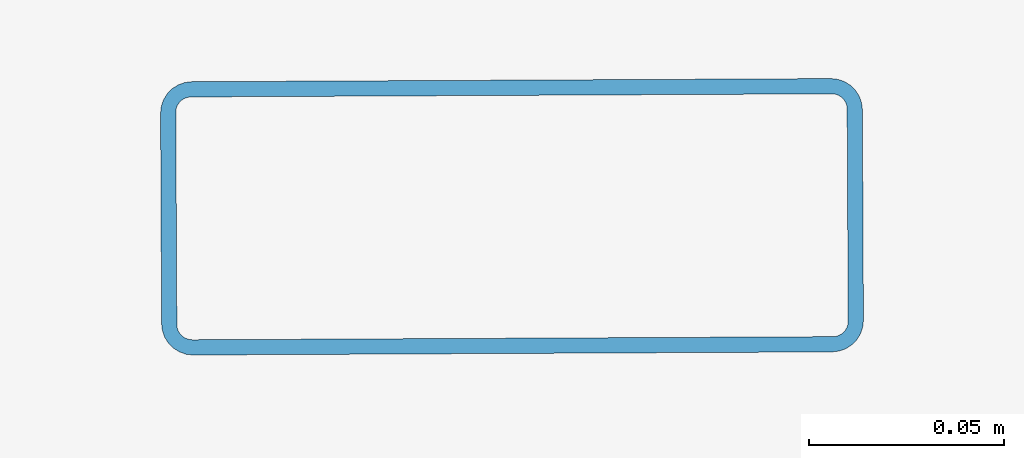
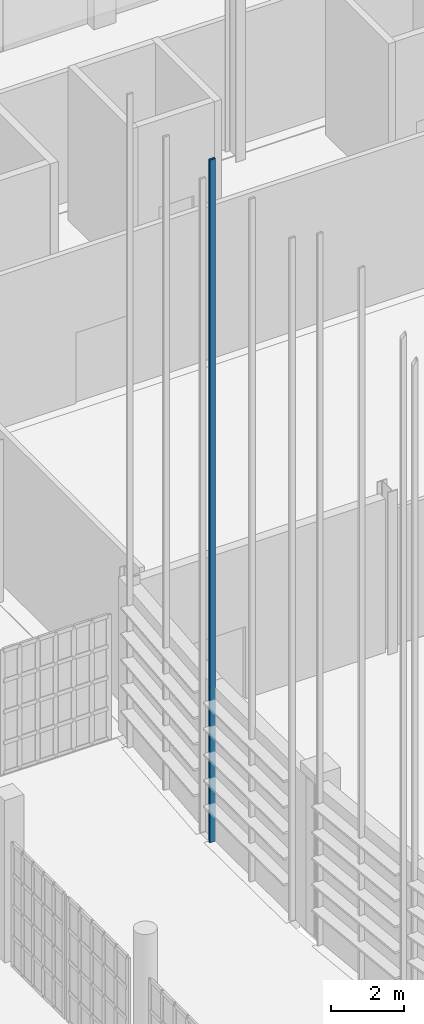
# One storey, part 93 of 372: 1 member.
"""IFC4 building model written with IfcOpenShell, lengths in metres."""

import ifcopenshell
import ifcopenshell.guid

model = None  # the IFC model being written
_history = None  # IfcOwnerHistory: only IFC2X3 demands one
_inside = {}  # id of a spatial element -> (the spatial element, [elements in it])
_under = {}  # id of a project, library or spatial element -> (it, [spatial elements below it])
_declared = {}  # id of a project -> (the project, [libraries it declares])
_typed = {}  # id of a type object -> (the type object, [elements of that type])
_made_of = {}  # id of a material, layer set ... -> (it, [elements and type objects made of it])


def new_model(schema):
    """Start an empty IFC model of exactly this schema.

    Asked for "IFC4X3", IfcOpenShell would pick the latest addendum, in which some entities
    have other attributes; the version numbers below select the first issue.
    IFC2X3 requires an IfcOwnerHistory on every rooted entity: one is made here for all.
    """
    global model, _history
    if schema == "IFC4X3":
        model = ifcopenshell.file(schema_version=(4, 3, 0, 0))
    else:
        model = ifcopenshell.file(schema=schema)
    _inside.clear()
    _under.clear()
    _declared.clear()
    _typed.clear()
    _made_of.clear()
    _history = None
    if model.schema == "IFC2X3":
        org = make("IfcOrganization", Name="unknown")
        user = make(
            "IfcPersonAndOrganization",
            ThePerson=make("IfcPerson", FamilyName="unknown"),
            TheOrganization=org,
        )
        app = make(
            "IfcApplication",
            ApplicationDeveloper=org,
            Version="unknown",
            ApplicationFullName="unknown",
            ApplicationIdentifier="unknown",
        )
        _history = make(
            "IfcOwnerHistory",
            OwningUser=user,
            OwningApplication=app,
            ChangeAction="ADDED",
            CreationDate=0,
        )
    return model


def make(cls, **values):
    """One entity of the class cls with the attributes given. An attribute that is None is left unset."""
    return model.create_entity(
        cls, **{name: value for name, value in values.items() if value is not None}
    )


def rooted(cls, **values):
    """An entity with a GlobalId (a new one), such as an element, a storey or a relation."""
    return make(cls, GlobalId=ifcopenshell.guid.new(), OwnerHistory=_history, **values)


def si_unit(unit_type, name, prefix=None):
    """IfcSIUnit, for example si_unit("LENGTHUNIT", "METRE", prefix="MILLI")."""
    return make("IfcSIUnit", UnitType=unit_type, Prefix=prefix, Name=name)


def assignment(units):
    """IfcUnitAssignment: the units of a project."""
    return None if units is None else make("IfcUnitAssignment", Units=units)


def point(xyz):
    """IfcCartesianPoint."""
    return None if xyz is None else make("IfcCartesianPoint", Coordinates=xyz)


def direction(xyz):
    """IfcDirection."""
    return None if xyz is None else make("IfcDirection", DirectionRatios=xyz)


def frame(location, z_axis=None, x_axis=None):
    """IfcAxis2Placement3D, a coordinate frame: its origin and axes. An axis left out is left unset."""
    return make(
        "IfcAxis2Placement3D",
        Location=point(location),
        Axis=direction(z_axis),
        RefDirection=direction(x_axis),
    )


def frame_2d(location, x_axis=None):
    """IfcAxis2Placement2D, a coordinate frame in the plane: its origin and x axis."""
    return make(
        "IfcAxis2Placement2D", Location=point(location), RefDirection=direction(x_axis)
    )


def origin():
    """The frame at (0, 0, 0) with its axes left unset."""
    return frame((0.0, 0.0, 0.0))


def origin_2d():
    """The frame at (0, 0) in the plane with its x axis left unset."""
    return frame_2d((0.0, 0.0))


def place(relative_to, where):
    """IfcLocalPlacement: puts the frame where relative to a parent placement (None: the world)."""
    return make(
        "IfcLocalPlacement", PlacementRelTo=relative_to, RelativePlacement=where
    )


def context(
    kind, dimensions, precision=None, world=None, true_north=None, identifier=None
):
    """IfcGeometricRepresentationContext, for example the 3D "Model" context."""
    return make(
        "IfcGeometricRepresentationContext",
        ContextIdentifier=identifier,
        ContextType=kind,
        CoordinateSpaceDimension=dimensions,
        Precision=precision,
        WorldCoordinateSystem=world,
        TrueNorth=true_north,
    )


def subcontext(parent, identifier, kind, view, scale=None):
    """IfcGeometricRepresentationSubContext, for example "Body" below "Model"."""
    return make(
        "IfcGeometricRepresentationSubContext",
        ContextIdentifier=identifier,
        ContextType=kind,
        ParentContext=parent,
        TargetScale=scale,
        TargetView=view,
    )


def project(units=None, contexts=None):
    """IfcProject with its units and contexts."""
    return rooted(
        "IfcProject",
        Name="project",
        RepresentationContexts=contexts,
        UnitsInContext=assignment(units),
    )


def spatial(cls, under=None, at=None, **own):
    """A site, building, storey or space (cls), placed at a placement, below another one or the project."""
    s = rooted(cls, ObjectPlacement=at, **own)
    if under is not None:
        _under.setdefault(under.id(), (under, []))[1].append(s)
    return s


def profile(cls, at=None, kind="AREA", **sizes):
    """A parametric profile (cls). Its sizes go by their IFC names, for example OverallWidth=200.0."""
    return make(cls, ProfileType=kind, Position=at, **sizes)


def hollow_rectangle(**sizes):
    """IfcRectangleHollowProfileDef."""
    return profile("IfcRectangleHollowProfileDef", **sizes)


def extrude(swept, where, along, depth):
    """IfcExtrudedAreaSolid: the profile swept, set in the frame where, extruded along a direction by depth."""
    return make(
        "IfcExtrudedAreaSolid",
        SweptArea=swept,
        Position=where,
        ExtrudedDirection=direction(along),
        Depth=depth,
    )


def shape(context_of_items, identifier, shape_type, items):
    """IfcShapeRepresentation: the items that make up one representation, for example the "Body"."""
    return make(
        "IfcShapeRepresentation",
        ContextOfItems=context_of_items,
        RepresentationIdentifier=identifier,
        RepresentationType=shape_type,
        Items=items,
    )


def material(Name=None, Category=None):
    """IfcMaterial."""
    return make("IfcMaterial", Name=Name, Category=Category)


def material_profile(
    of_material, cross_section, Name=None, Category=None, Priority=None
):
    """IfcMaterialProfile: a cross section and its material."""
    return make(
        "IfcMaterialProfile",
        Name=Name,
        Material=of_material,
        Profile=cross_section,
        Priority=Priority,
        Category=Category,
    )


def profile_set(profiles, Name=None, composite=None):
    """IfcMaterialProfileSet."""
    return make(
        "IfcMaterialProfileSet",
        Name=Name,
        MaterialProfiles=profiles,
        CompositeProfile=composite,
    )


def made_of(thing, what):
    """Note that an element or type object is made of a material, layer set ...; save() writes the relation."""
    if what is not None:
        _made_of.setdefault(what.id(), (what, []))[1].append(thing)
    return thing


def type_object(cls, material=None, **own):
    """A type object (cls), such as IfcWallType, which elements share."""
    return made_of(rooted(cls, **own), material)


def element(
    cls,
    number,
    at=None,
    inside=None,
    cuts=None,
    type_object=None,
    material=None,
    context=None,
    identifier="Body",
    shape_type=None,
    held_by="IfcProductDefinitionShape",
    body=None,
    shapes=None,
    **own,
):
    """One element of the class cls, such as IfcWall. Its Tag is "e" and its number.

    at: its placement. inside: the storey or other place that contains it. cuts: it is an
    opening in that element (IfcRelVoidsElement). A single representation is given by context,
    identifier, shape_type and body (its items); several are given by shapes. held_by: the class
    of the entity that holds the representations. save() writes the other relations.
    """
    e = rooted(cls, Tag="e%d" % number, ObjectPlacement=at, **own)
    if body is not None:
        shapes = [shape(context, identifier, shape_type, body)]
    if shapes is not None:
        e.Representation = make(held_by, Representations=shapes)
    if inside is not None:
        _inside.setdefault(inside.id(), (inside, []))[1].append(e)
    if cuts is not None:
        rooted(
            "IfcRelVoidsElement", RelatingBuildingElement=cuts, RelatedOpeningElement=e
        )
    if type_object is not None:
        _typed.setdefault(type_object.id(), (type_object, []))[1].append(e)
    return made_of(e, material)


def aggregate(whole, parts):
    """IfcRelAggregates: a whole, such as a stair, and the parts it consists of."""
    return rooted("IfcRelAggregates", RelatingObject=whole, RelatedObjects=parts)


def save(model, path):
    """Write the relations noted so far, then the file.

    IfcRelAggregates (storeys below a building ...), IfcRelContainedInSpatialStructure (elements
    in a storey), IfcRelDefinesByType, IfcRelAssociatesMaterial and IfcRelDeclares: one each for
    every whole, place, type object, material and project.
    """
    for whole, parts in _under.values():
        aggregate(whole, parts)
    for where, things in _inside.values():
        rooted(
            "IfcRelContainedInSpatialStructure",
            RelatedElements=things,
            RelatingStructure=where,
        )
    for kind, things in _typed.values():
        rooted("IfcRelDefinesByType", RelatedObjects=things, RelatingType=kind)
    for what, things in _made_of.values():
        rooted("IfcRelAssociatesMaterial", RelatedObjects=things, RelatingMaterial=what)
    for by, libraries in _declared.values():
        rooted("IfcRelDeclares", RelatingContext=by, RelatedDefinitions=libraries)
    model.write(path)


model = new_model("IFC4")

# Units and contexts
model_context = context("Model", 3, precision=1e-05, world=origin(), true_north=direction((0.0, 1.0)))
body_context = subcontext(model_context, "Body", "Model", "MODEL_VIEW")
ifc_project = project(units=[si_unit("LENGTHUNIT", "METRE"), si_unit("AREAUNIT", "SQUARE_METRE"), si_unit("VOLUMEUNIT", "CUBIC_METRE"), si_unit("PLANEANGLEUNIT", "RADIAN"), si_unit("MASSUNIT", "GRAM", prefix="KILO")], contexts=[model_context])

# Site, building, storey
site_placement = place(None, origin())
site = spatial("IfcSite", under=ifc_project, at=site_placement, CompositionType="ELEMENT")
building_placement = place(site_placement, origin())
building = spatial("IfcBuilding", under=site, at=building_placement, Name="Kaelora Sail Theatre", CompositionType="ELEMENT")
storey_placement = place(building_placement, origin())
storey = spatial("IfcBuildingStorey", under=building, at=storey_placement, Name="L00", CompositionType="ELEMENT", Elevation=0.0)

# Member
ifc_material = material(Name="Anodised aluminium 6063-T6", Category="aluminium")
ifc_material_profile = material_profile(ifc_material, hollow_rectangle(XDim=0.070068359375, YDim=0.179931640625, WallThickness=0.00390625, InnerFilletRadius=0.00390625, OuterFilletRadius=0.008056640625, at=origin_2d()), Name="ALU-MULL 70x180x4")
ifc_profile_set = profile_set([ifc_material_profile], Name="Anodised aluminium 6063-T6")
member_type = type_object("IfcMemberType", Name="ARC-MEM-PST-160", PredefinedType="POST", material=ifc_profile_set)
member_placement = place(storey_placement, frame((25.17919921875, 55.465087890625, 0.0), z_axis=(0.0, 0.0, 1.0), x_axis=(-0.004886902454, 0.999988059021, 0.0)))
element("IfcMember", 1, at=member_placement, inside=storey, type_object=member_type, Name="Main Theatre Sail Drum solar louvre vertical support post C21-3", PredefinedType="POST", context=body_context, shape_type="SweptSolid", body=[
    extrude(hollow_rectangle(XDim=0.070068359375, YDim=0.179931640625, WallThickness=0.00390625, InnerFilletRadius=0.00390625, OuterFilletRadius=0.008056640625, at=origin_2d()), origin(), (0.0, 0.0, 1.0), 22.691162109375),
])

save(model, "model.ifc")
